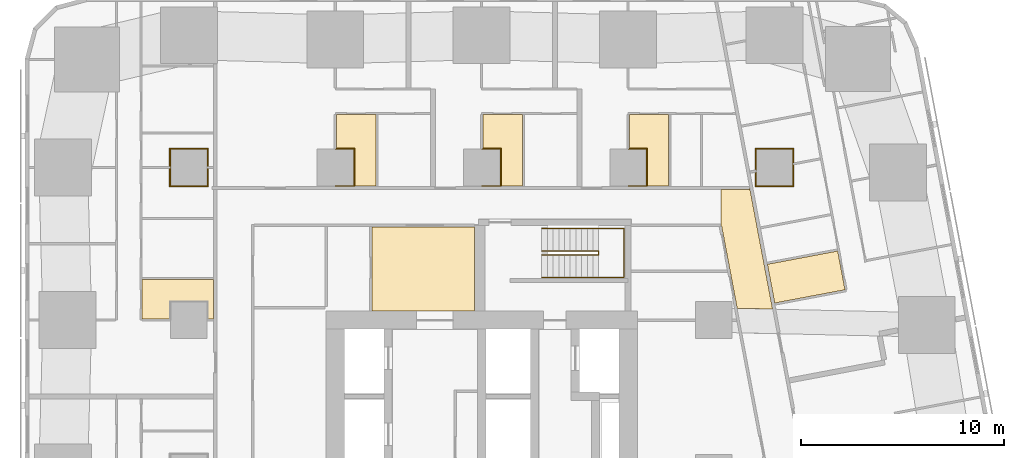
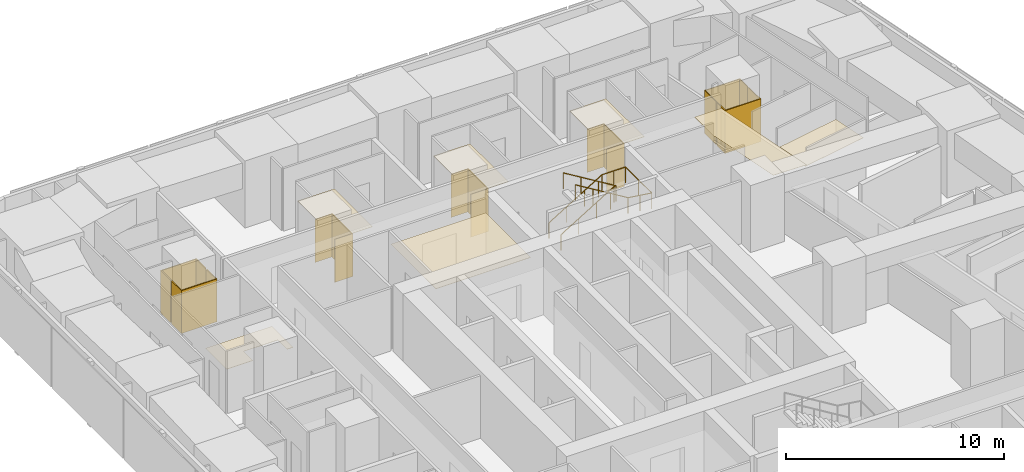
# One storey, part 15 of 15: 14 coverings, 2 railings.
"""IFC4 building model written with IfcOpenShell, lengths in metres."""

from ifc_helpers import new_model, si_unit, direction, frame, origin, origin_2d, place, context, subcontext, project, spatial, polyline, circle, outline, extrude, material, layer, layer_set, type_object, element, save


model = new_model("IFC4")

# Units and contexts
model_context = context("Model", 3, precision=1e-05, world=origin(), true_north=direction((0.0, 1.0)))
body_context = subcontext(model_context, "Body", "Model", "MODEL_VIEW")
ifc_project = project(units=[si_unit("LENGTHUNIT", "METRE"), si_unit("AREAUNIT", "SQUARE_METRE"), si_unit("VOLUMEUNIT", "CUBIC_METRE"), si_unit("PLANEANGLEUNIT", "RADIAN"), si_unit("MASSUNIT", "GRAM", prefix="KILO")], contexts=[model_context])

# Site, building, storey
site_placement = place(None, origin())
site = spatial("IfcSite", under=ifc_project, at=site_placement, CompositionType="ELEMENT")
building_placement = place(site_placement, origin())
building = spatial("IfcBuilding", under=site, at=building_placement, Name="Sheger Commons Tower", CompositionType="ELEMENT")
storey_placement = place(building_placement, frame((0.0, 0.0, 65.0)))
storey = spatial("IfcBuildingStorey", under=building, at=storey_placement, Name="L16", CompositionType="ELEMENT", Elevation=65.0)

# Railings
ifc_material_1 = material(Name="Steel handrail, black powder-coated", Category="steel")
railing_type = type_object("IfcRailingType", Name="HANDRAIL 900", PredefinedType="HANDRAIL", material=ifc_material_1)
railing_1_placement = place(storey_placement, frame((24.550048828125, 33.39990234375, 0.17041015625)))
element("IfcRailing", 1, at=railing_1_placement, inside=storey, type_object=railing_type, Name="Stair S2 handrail L16", PredefinedType="HANDRAIL", context=body_context, shape_type="SweptSolid", body=[
    extrude(circle(Radius=0.02392578125, at=origin_2d()), frame((0.0, 0.0, 0.8759765625), z_axis=(0.854169791009, 0.0, 0.51999420009), x_axis=(0.0, 1.0, 0.0)), (0.0, 0.0, 1.0), 3.278076171875),
    extrude(circle(Radius=0.02392578125, at=origin_2d()), frame((2.800048828125, 0.0, 2.58056640625), z_axis=(0.0, -0.761090297175, 0.648645943136), x_axis=(1.0, 0.0, 0.0)), (0.0, 0.0, 1.0), 0.2626953125),
    extrude(circle(Radius=0.02392578125, at=origin_2d()), frame((2.800048828125, -0.199951171875, 2.7509765625), z_axis=(-0.854169791009, 0.0, 0.51999420009), x_axis=(0.0, -1.0, 0.0)), (0.0, 0.0, 1.0), 3.278076171875),
    extrude(circle(Radius=0.02099609375, at=origin_2d()), origin(), (0.0, 0.0, 1.0), 0.851806640625),
    extrude(circle(Radius=0.02099609375, at=origin_2d()), frame((0.933349609375, 0.0, 0.568115234375)), (0.0, 0.0, 1.0), 0.851806640625),
    extrude(circle(Radius=0.02099609375, at=origin_2d()), frame((1.86669921875, 0.0, 1.136474609375)), (0.0, 0.0, 1.0), 0.851806640625),
    extrude(circle(Radius=0.02099609375, at=origin_2d()), frame((2.800048828125, 0.0, 1.70458984375)), (0.0, 0.0, 1.0), 0.851806640625),
    extrude(circle(Radius=0.02099609375, at=origin_2d()), frame((2.800048828125, -0.199951171875, 1.875)), (0.0, 0.0, 1.0), 0.851806640625),
    extrude(circle(Radius=0.02099609375, at=origin_2d()), frame((1.86669921875, -0.199951171875, 2.443115234375)), (0.0, 0.0, 1.0), 0.851806640625),
    extrude(circle(Radius=0.02099609375, at=origin_2d()), frame((0.933349609375, -0.199951171875, 3.011474609375)), (0.0, 0.0, 1.0), 0.851806640625),
    extrude(circle(Radius=0.02099609375, at=origin_2d()), frame((0.0, -0.199951171875, 3.57958984375)), (0.0, 0.0, 1.0), 0.851806640625),
])
railing_2_placement = place(storey_placement, frame((24.550048828125, 34.5, 0.17041015625)))
element("IfcRailing", 2, at=railing_2_placement, inside=storey, type_object=railing_type, Name="Stair S2 handrail L16", PredefinedType="HANDRAIL", context=body_context, shape_type="SweptSolid", body=[
    extrude(circle(Radius=0.02392578125, at=origin_2d()), frame((0.0, 0.0, 0.8759765625), z_axis=(0.854169791009, 0.0, 0.51999420009), x_axis=(0.0, 1.0, 0.0)), (0.0, 0.0, 1.0), 3.278076171875),
    extrude(circle(Radius=0.02392578125, at=origin_2d()), frame((2.800048828125, 0.0, 2.58056640625), z_axis=(1.0, 0.0, 0.0), x_axis=(0.0, 1.0, 0.0)), (0.0, 0.0, 1.0), 1.25),
    extrude(circle(Radius=0.02392578125, at=origin_2d()), frame((4.050048828125, 0.0, 2.58056640625), z_axis=(0.0, -1.0, 0.0), x_axis=(1.0, 0.0, 0.0)), (0.0, 0.0, 1.0), 2.39990234375),
    extrude(circle(Radius=0.02392578125, at=origin_2d()), frame((4.050048828125, -2.39990234375, 2.58056640625), z_axis=(-0.990834877927, 0.0, 0.135078661092), x_axis=(0.0, -1.0, 0.0)), (0.0, 0.0, 1.0), 1.261474609375),
    extrude(circle(Radius=0.02392578125, at=origin_2d()), frame((2.800048828125, -2.39990234375, 2.7509765625), z_axis=(-0.854169791009, 0.0, 0.51999420009), x_axis=(0.0, -1.0, 0.0)), (0.0, 0.0, 1.0), 3.278076171875),
    extrude(circle(Radius=0.02099609375, at=origin_2d()), origin(), (0.0, 0.0, 1.0), 0.851806640625),
    extrude(circle(Radius=0.02099609375, at=origin_2d()), frame((0.933349609375, 0.0, 0.568115234375)), (0.0, 0.0, 1.0), 0.851806640625),
    extrude(circle(Radius=0.02099609375, at=origin_2d()), frame((1.86669921875, 0.0, 1.136474609375)), (0.0, 0.0, 1.0), 0.851806640625),
    extrude(circle(Radius=0.02099609375, at=origin_2d()), frame((2.800048828125, 0.0, 1.70458984375)), (0.0, 0.0, 1.0), 0.851806640625),
    extrude(circle(Radius=0.02099609375, at=origin_2d()), frame((3.425048828125, 0.0, 1.70458984375)), (0.0, 0.0, 1.0), 0.851806640625),
    extrude(circle(Radius=0.02099609375, at=origin_2d()), frame((4.050048828125, 0.0, 1.70458984375)), (0.0, 0.0, 1.0), 0.851806640625),
    extrude(circle(Radius=0.02099609375, at=origin_2d()), frame((4.050048828125, -1.199951171875, 1.70458984375)), (0.0, 0.0, 1.0), 0.851806640625),
    extrude(circle(Radius=0.02099609375, at=origin_2d()), frame((4.050048828125, -2.39990234375, 1.70458984375)), (0.0, 0.0, 1.0), 0.851806640625),
    extrude(circle(Radius=0.02099609375, at=origin_2d()), frame((3.425048828125, -2.39990234375, 1.789794921875)), (0.0, 0.0, 1.0), 0.851806640625),
    extrude(circle(Radius=0.02099609375, at=origin_2d()), frame((2.800048828125, -2.39990234375, 1.875)), (0.0, 0.0, 1.0), 0.851806640625),
    extrude(circle(Radius=0.02099609375, at=origin_2d()), frame((1.86669921875, -2.39990234375, 2.443115234375)), (0.0, 0.0, 1.0), 0.851806640625),
    extrude(circle(Radius=0.02099609375, at=origin_2d()), frame((0.933349609375, -2.39990234375, 3.011474609375)), (0.0, 0.0, 1.0), 0.851806640625),
    extrude(circle(Radius=0.02099609375, at=origin_2d()), frame((0.0, -2.39990234375, 3.57958984375)), (0.0, 0.0, 1.0), 0.851806640625),
])

# Coverings
ifc_material_2 = material(Name="Moisture-resistant gypsum plasterboard 15 mm on a suspended galvanised steel grid", Category="steel")
ifc_layer_1 = layer(ifc_material_2, 0.014892578125)
ifc_layer_set_1 = layer_set([ifc_layer_1], Name="MOISTURE-RESISTANT CEILING 15")
covering_type_1 = type_object("IfcCoveringType", Name="MOISTURE-RESISTANT CEILING 15", PredefinedType="CEILING", material=ifc_layer_set_1)
covering_1_placement = place(storey_placement, frame((0.0, 0.0, 2.39990234375)))
element("IfcCovering", 3, at=covering_1_placement, inside=storey, type_object=covering_type_1, Name="L16-04.B1 ceiling", PredefinedType="CEILING", context=body_context, shape_type="SweptSolid", body=[
    extrude(outline(polyline([(4.905029296875, 30.054931640625), (6.294921875, 30.054931640625), (6.294921875, 30.905029296875), (8.10498046875, 30.905029296875), (8.10498046875, 30.054931640625), (8.419921875, 30.054931640625), (8.419921875, 31.9951171875), (4.905029296875, 31.9951171875), (4.905029296875, 30.054931640625)])), origin(), (0.0, 0.0, 1.0), 0.01513671875),
])
covering_2_placement = place(storey_placement, frame((0.0, 0.0, 2.39990234375)))
element("IfcCovering", 4, at=covering_2_placement, inside=storey, type_object=covering_type_1, Name="L16-09.B1 ceiling", PredefinedType="CEILING", context=body_context, shape_type="SweptSolid", body=[
    extrude(outline(polyline([(36.007080078125, 30.8349609375), (39.4609375, 31.487060546875), (39.10107421875, 33.39306640625), (35.64697265625, 32.740966796875), (36.007080078125, 30.8349609375)])), origin(), (0.0, 0.0, 1.0), 0.01513671875),
])
covering_3_placement = place(storey_placement, frame((0.0, 0.0, 2.39990234375)))
element("IfcCovering", 5, at=covering_3_placement, inside=storey, type_object=covering_type_1, Name="L16-13.B1 ceiling", PredefinedType="CEILING", context=body_context, shape_type="SweptSolid", body=[
    extrude(outline(polyline([(14.39990234375, 36.580078125), (16.39501953125, 36.580078125), (16.39501953125, 40.094970703125), (14.455078125, 40.094970703125), (14.455078125, 38.405029296875), (15.304931640625, 38.405029296875), (15.304931640625, 36.594970703125), (14.39990234375, 36.594970703125), (14.39990234375, 36.580078125)])), origin(), (0.0, 0.0, 1.0), 0.01513671875),
])
covering_4_placement = place(storey_placement, frame((0.0, 0.0, 2.39990234375)))
element("IfcCovering", 6, at=covering_4_placement, inside=storey, type_object=covering_type_1, Name="L16-14.B1 ceiling", PredefinedType="CEILING", context=body_context, shape_type="SweptSolid", body=[
    extrude(outline(polyline([(21.60009765625, 36.580078125), (23.594970703125, 36.580078125), (23.594970703125, 40.094970703125), (21.655029296875, 40.094970703125), (21.655029296875, 38.405029296875), (22.5048828125, 38.405029296875), (22.5048828125, 36.594970703125), (21.60009765625, 36.594970703125), (21.60009765625, 36.580078125)])), origin(), (0.0, 0.0, 1.0), 0.01513671875),
])
covering_5_placement = place(storey_placement, frame((0.0, 0.0, 2.39990234375)))
element("IfcCovering", 7, at=covering_5_placement, inside=storey, type_object=covering_type_1, Name="L16-15.B1 ceiling", PredefinedType="CEILING", context=body_context, shape_type="SweptSolid", body=[
    extrude(outline(polyline([(28.800048828125, 36.580078125), (30.794921875, 36.580078125), (30.794921875, 40.094970703125), (28.85498046875, 40.094970703125), (28.85498046875, 38.405029296875), (29.705078125, 38.405029296875), (29.705078125, 36.594970703125), (28.800048828125, 36.594970703125), (28.800048828125, 36.580078125)])), origin(), (0.0, 0.0, 1.0), 0.01513671875),
])
ifc_material_3 = material(Name="Gypsum plasterboard 15 mm on a suspended steel grid", Category="steel")
ifc_layer_2 = layer(ifc_material_3, 0.014892578125)
ifc_layer_set_2 = layer_set([ifc_layer_2], Name="SUSPENDED CEILING 15")
covering_type_2 = type_object("IfcCoveringType", Name="SUSPENDED CEILING 15", PredefinedType="CEILING", material=ifc_layer_set_2)
covering_6_placement = place(storey_placement, frame((0.0, 0.0, 2.699951171875)))
element("IfcCovering", 8, at=covering_6_placement, inside=storey, type_object=covering_type_2, Name="L16-CO ceiling", PredefinedType="CEILING", context=body_context, shape_type="SweptSolid", body=[
    extrude(outline(polyline([(35.89990234375, 30.5400390625), (34.77392578125, 36.5), (34.77001953125, 36.5), (34.77001953125, 36.419921875), (33.365966796875, 36.419921875), (33.365966796875, 34.699951171875), (33.365966796875, 34.697998046875), (33.364013671875, 34.697998046875), (33.382080078125, 34.60205078125), (33.39892578125, 34.60498046875), (34.159912109375, 30.5791015625), (35.89990234375, 30.5400390625)])), origin(), (0.0, 0.0, 1.0), 0.01513671875),
])
covering_7_placement = place(storey_placement, frame((0.0, 0.0, 2.699951171875)))
element("IfcCovering", 9, at=covering_7_placement, inside=storey, type_object=covering_type_2, Name="L16-SVN1 ceiling", PredefinedType="CEILING", context=body_context, shape_type="SweptSolid", body=[
    extrude(outline(polyline([(16.217041015625, 30.455078125), (21.2451171875, 30.455078125), (21.2451171875, 34.58203125), (16.217041015625, 34.58203125), (16.217041015625, 30.455078125)])), origin(), (0.0, 0.0, 1.0), 0.01513671875),
])
ifc_material_4 = material(Name="Moisture-resistant gypsum board 12.5 mm on 25 mm treated timber battens, tanked and tiled", Category="wood")
ifc_layer_3 = layer(ifc_material_4, 0.050048828125)
ifc_layer_set_3 = layer_set([ifc_layer_3], Name="WET-ROOM COLUMN LINING")
covering_type_3 = type_object("IfcCoveringType", Name="WET-ROOM COLUMN LINING", PredefinedType="CLADDING", material=ifc_layer_set_3)
covering_8_placement = place(storey_placement, origin())
element("IfcCovering", 10, at=covering_8_placement, inside=storey, type_object=covering_type_3, Name="Store and laundry column lining C8 L16", PredefinedType="CLADDING", context=body_context, shape_type="SweptSolid", body=[
    extrude(outline(polyline([(6.300048828125, 37.5), (6.300048828125, 36.60009765625), (8.10009765625, 36.60009765625), (8.10009765625, 37.5), (8.10107421875, 37.5), (8.10107421875, 37.449951171875), (8.14990234375, 37.449951171875), (8.14990234375, 36.550048828125), (6.25, 36.550048828125), (6.25, 37.449951171875), (6.299072265625, 37.449951171875), (6.299072265625, 37.5), (6.300048828125, 37.5)])), origin(), (0.0, 0.0, 1.0), 2.39990234375),
])
covering_9_placement = place(storey_placement, origin())
element("IfcCovering", 11, at=covering_9_placement, inside=storey, type_object=covering_type_3, Name="Laundry room column lining C8 L16", PredefinedType="CLADDING", context=body_context, shape_type="SweptSolid", body=[
    extrude(outline(polyline([(8.14990234375, 38.449951171875), (8.14990234375, 37.550048828125), (8.10107421875, 37.550048828125), (8.10107421875, 37.5), (8.10009765625, 37.5), (8.10009765625, 38.39990234375), (6.300048828125, 38.39990234375), (6.300048828125, 37.5), (6.299072265625, 37.5), (6.299072265625, 37.550048828125), (6.25, 37.550048828125), (6.25, 38.449951171875), (8.14990234375, 38.449951171875)])), origin(), (0.0, 0.0, 1.0), 2.39990234375),
])
covering_10_placement = place(storey_placement, origin())
element("IfcCovering", 12, at=covering_10_placement, inside=storey, type_object=covering_type_3, Name="Bathroom column lining C8 L16", PredefinedType="CLADDING", context=body_context, shape_type="SweptSolid", body=[
    extrude(outline(polyline([(15.35009765625, 36.574951171875), (14.39990234375, 36.574951171875), (14.39990234375, 36.60009765625), (15.300048828125, 36.60009765625), (15.300048828125, 38.39990234375), (14.39990234375, 38.39990234375), (14.39990234375, 38.40087890625), (14.449951171875, 38.40087890625), (14.449951171875, 38.449951171875), (15.35009765625, 38.449951171875), (15.35009765625, 36.574951171875)])), origin(), (0.0, 0.0, 1.0), 2.39990234375),
])
covering_11_placement = place(storey_placement, origin())
element("IfcCovering", 13, at=covering_11_placement, inside=storey, type_object=covering_type_3, Name="Bathroom column lining C8 L16", PredefinedType="CLADDING", context=body_context, shape_type="SweptSolid", body=[
    extrude(outline(polyline([(22.550048828125, 36.574951171875), (21.60009765625, 36.574951171875), (21.60009765625, 36.60009765625), (22.5, 36.60009765625), (22.5, 38.39990234375), (21.60009765625, 38.39990234375), (21.60009765625, 38.40087890625), (21.64990234375, 38.40087890625), (21.64990234375, 38.449951171875), (22.550048828125, 38.449951171875), (22.550048828125, 36.574951171875)])), origin(), (0.0, 0.0, 1.0), 2.39990234375),
])
covering_12_placement = place(storey_placement, origin())
element("IfcCovering", 14, at=covering_12_placement, inside=storey, type_object=covering_type_3, Name="Bathroom column lining C8 L16", PredefinedType="CLADDING", context=body_context, shape_type="SweptSolid", body=[
    extrude(outline(polyline([(29.75, 36.574951171875), (28.800048828125, 36.574951171875), (28.800048828125, 36.60009765625), (29.699951171875, 36.60009765625), (29.699951171875, 38.39990234375), (28.800048828125, 38.39990234375), (28.800048828125, 38.40087890625), (28.85009765625, 38.40087890625), (28.85009765625, 38.449951171875), (29.75, 38.449951171875), (29.75, 36.574951171875)])), origin(), (0.0, 0.0, 1.0), 2.39990234375),
])
covering_13_placement = place(storey_placement, origin())
element("IfcCovering", 15, at=covering_13_placement, inside=storey, type_object=covering_type_3, Name="Store and laundry column lining C8 L16", PredefinedType="CLADDING", context=body_context, shape_type="SweptSolid", body=[
    extrude(outline(polyline([(35.10009765625, 37.330078125), (35.10009765625, 36.60009765625), (36.89990234375, 36.60009765625), (36.89990234375, 37.6708984375), (36.909912109375, 37.673095703125), (36.9189453125, 37.623046875), (36.949951171875, 37.62890625), (36.949951171875, 36.550048828125), (35.050048828125, 36.550048828125), (35.050048828125, 37.27001953125), (35.09912109375, 37.279052734375), (35.090087890625, 37.327880859375), (35.10009765625, 37.330078125)])), origin(), (0.0, 0.0, 1.0), 2.39990234375),
])
covering_14_placement = place(storey_placement, origin())
element("IfcCovering", 16, at=covering_14_placement, inside=storey, type_object=covering_type_3, Name="Laundry room column lining C8 L16", PredefinedType="CLADDING", context=body_context, shape_type="SweptSolid", body=[
    extrude(outline(polyline([(36.949951171875, 38.449951171875), (36.949951171875, 37.72998046875), (36.90087890625, 37.720947265625), (36.909912109375, 37.673095703125), (36.89990234375, 37.6708984375), (36.89990234375, 38.39990234375), (35.10009765625, 38.39990234375), (35.10009765625, 37.330078125), (35.090087890625, 37.327880859375), (35.0810546875, 37.376953125), (35.050048828125, 37.37109375), (35.050048828125, 38.449951171875), (36.949951171875, 38.449951171875)])), origin(), (0.0, 0.0, 1.0), 2.39990234375),
])

save(model, "model.ifc")
